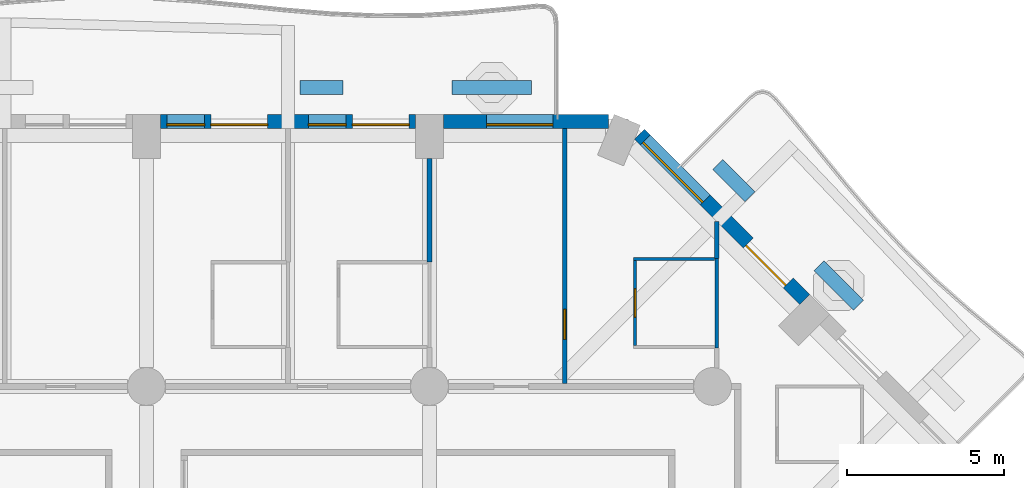
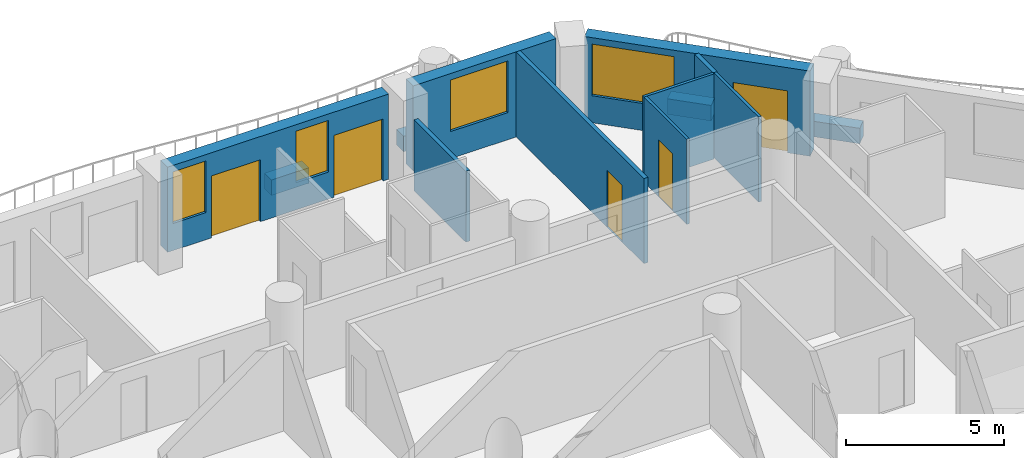
# One storey, part 10 of 20: 13 walls, 5 doors, 4 windows, 9 openings.
"""IFC4 building model written with IfcOpenShell, lengths in metres."""

from ifc_helpers import new_model, si_unit, direction, frame, frame_2d, origin, place, context, subcontext, project, spatial, rectangle, extrude, material, layer, layer_set, type_object, element, fill, save


model = new_model("IFC4")

# Units and contexts
model_context = context("Model", 3, precision=1e-05, world=origin(), true_north=direction((0.0, 1.0)))
body_context = subcontext(model_context, "Body", "Model", "MODEL_VIEW")
ifc_project = project(units=[si_unit("LENGTHUNIT", "METRE"), si_unit("AREAUNIT", "SQUARE_METRE"), si_unit("VOLUMEUNIT", "CUBIC_METRE"), si_unit("PLANEANGLEUNIT", "RADIAN"), si_unit("MASSUNIT", "GRAM", prefix="KILO")], contexts=[model_context])

# Site, building, storey
site_placement = place(None, origin())
site = spatial("IfcSite", under=ifc_project, at=site_placement, CompositionType="ELEMENT")
building_placement = place(site_placement, origin())
building = spatial("IfcBuilding", under=site, at=building_placement, Name="Cypress Arch Tower", CompositionType="ELEMENT")
storey_placement = place(building_placement, frame((0.0, 0.0, 59.10009765625)))
storey = spatial("IfcBuildingStorey", under=building, at=storey_placement, Name="L08", CompositionType="ELEMENT", Elevation=59.10009765625)

# Walls
ifc_material_1 = material(Name="Concrete C40/50, waterproofed", Category="concrete")
ifc_layer_1 = layer(ifc_material_1, 0.449951171875)
ifc_layer_set_1 = layer_set([ifc_layer_1], Name="Balcony planter wall PW450")
wall_type_1 = type_object("IfcWallType", Name="Balcony planter wall PW450", PredefinedType="SOLIDWALL", material=ifc_layer_set_1)
wall_1_placement = place(storey_placement, frame((19.9365234375, 20.07763671875, 0.0), z_axis=(0.0, 0.0, 1.0), x_axis=(-0.707106781187, 0.707106781187, 0.0)))
element("IfcWall", 1, at=wall_1_placement, inside=storey, type_object=wall_type_1, Name="Balcony planter wall L08-A07.2", PredefinedType="SOLIDWALL", context=body_context, shape_type="SweptSolid", body=[
    extrude(rectangle(XDim=1.780517578125, YDim=0.449951171875, at=frame_2d((0.89013671875, 0.0))), origin(), (0.0, 0.0, 1.0), 0.599853515625),
])
wall_2_placement = place(storey_placement, frame((16.485595703125, 23.528564453125, 0.0), z_axis=(0.0, 0.0, 1.0), x_axis=(-0.707022305137, 0.707191247145, 0.0)))
element("IfcWall", 2, at=wall_2_placement, inside=storey, type_object=wall_type_1, Name="Balcony planter wall L08-A07.3", PredefinedType="SOLIDWALL", context=body_context, shape_type="SweptSolid", body=[
    extrude(rectangle(XDim=1.445068359375, YDim=0.449951171875, at=frame_2d((0.72265625, 0.0))), origin(), (0.0, 0.0, 1.0), 0.599853515625),
])
wall_3_placement = place(storey_placement, frame((9.550048828125, 27.0, 0.0), z_axis=(0.0, 0.0, 1.0), x_axis=(-1.0, 0.0, 0.0)))
element("IfcWall", 3, at=wall_3_placement, inside=storey, type_object=wall_type_1, Name="Balcony planter wall L08-A08.1", PredefinedType="SOLIDWALL", context=body_context, shape_type="SweptSolid", body=[
    extrude(rectangle(XDim=2.53759765625, YDim=0.449951171875, at=frame_2d((1.268798828125, 0.0))), origin(), (0.0, 0.0, 1.0), 0.599853515625),
])
wall_4_placement = place(storey_placement, frame((3.550048828125, 27.0, 0.0), z_axis=(0.0, 0.0, 1.0), x_axis=(-1.0, 0.0, 0.0)))
element("IfcWall", 4, at=wall_4_placement, inside=storey, type_object=wall_type_1, Name="Balcony planter wall L08-A08.2", PredefinedType="SOLIDWALL", context=body_context, shape_type="SweptSolid", body=[
    extrude(rectangle(XDim=1.375, YDim=0.449951171875, at=frame_2d((0.6875, 0.0))), origin(), (0.0, 0.0, 1.0), 0.599853515625),
])

# Wall, openings, door, window
ifc_material_2 = material(Name="Brick (red buff blend)", Category="masonry")
ifc_layer_2 = layer(ifc_material_2, 0.449951171875)
ifc_layer_set_2 = layer_set([ifc_layer_2], Name="Brick pier and spandrel wall BW450")
wall_type_2 = type_object("IfcWallType", Name="Brick pier and spandrel wall BW450", PredefinedType="SOLIDWALL", material=ifc_layer_set_2)
wall_5_placement = place(storey_placement, frame((18.228759765625, 20.26513671875, 0.0), z_axis=(0.0, 0.0, 1.0), x_axis=(-0.707106781187, 0.707106781187, 0.0)))
wall_5 = element("IfcWall", 5, at=wall_5_placement, inside=storey, type_object=wall_type_2, Name="Brick wall L08 A07.1", PredefinedType="SOLIDWALL", context=body_context, shape_type="SweptSolid", body=[
    extrude(rectangle(XDim=7.423828125, YDim=0.449951171875, at=frame_2d((3.7119140625, 0.0))), origin(), (0.0, 0.0, 1.0), 3.2998046875),
])
opening_1_placement = place(wall_5_placement, frame((0.740234375, 0.0, 0.0)))
opening_1 = element("IfcOpeningElement", 6, at=opening_1_placement, cuts=wall_5, Name="Opening D-L08-A07.1.1", PredefinedType="OPENING", context=body_context, shape_type="SweptSolid", body=[
    extrude(rectangle(XDim=1.800048828125, YDim=2.39990234375, at=frame_2d((0.89990234375, 1.199951171875))), frame((0.0, 0.23486328125, 0.0), z_axis=(0.0, -1.0, 0.0), x_axis=(1.0, 0.0, 0.0)), (0.0, 0.0, 1.0), 0.469970703125),
])
opening_2_placement = place(wall_5_placement, frame((4.470703125, 0.0, 1.050048828125)))
opening_2 = element("IfcOpeningElement", 7, at=opening_2_placement, cuts=wall_5, Name="Opening W270HD", PredefinedType="OPENING", context=body_context, shape_type="SweptSolid", body=[
    extrude(rectangle(XDim=2.699951171875, YDim=2.0, at=frame_2d((1.35009765625, 1.0))), frame((0.0, 0.23486328125, 0.0), z_axis=(0.0, -1.0, 0.0), x_axis=(1.0, 0.0, 0.0)), (0.0, 0.0, 1.0), 0.469970703125),
])
ifc_material_3 = material(Name="Anodised aluminium, bronze finish, laminated low-emissivity double glazing, large-missile impact rated", Category="aluminium")
door_type_1 = type_object("IfcDoorType", Name="Balcony sliding door 1800x2400", OperationType="SLIDING_TO_LEFT", PredefinedType="DOOR", material=ifc_material_3)
door_1_placement = place(opening_1_placement, origin())
door_1 = element("IfcDoor", 8, at=door_1_placement, inside=storey, type_object=door_type_1, Name="Balcony door L08 A07.1.1", OperationType="SLIDING_TO_LEFT", OverallHeight=2.39990234375, OverallWidth=1.800048828125, PredefinedType="DOOR", context=body_context, shape_type="SweptSolid", body=[
    extrude(rectangle(XDim=1.800048828125, YDim=2.39990234375, at=frame_2d((0.89990234375, 1.199951171875))), frame((0.0, 0.1298828125, 0.0), z_axis=(0.0, -1.0, 0.0), x_axis=(1.0, 0.0, 0.0)), (0.0, 0.0, 1.0), 0.050048828125),
])
fill(opening_1, door_1)
ifc_material_4 = material(Name="Anodised aluminium, bronze finish, laminated low-emissivity double glazing, large-missile impact rated", Category="aluminium")
window_type_1 = type_object("IfcWindowType", Name="Window Hotel 2700x2000 debris-rated", PartitioningType="SINGLE_PANEL", PredefinedType="WINDOW", material=ifc_material_4)
window_1_placement = place(opening_2_placement, origin())
window_1 = element("IfcWindow", 9, at=window_1_placement, inside=storey, type_object=window_type_1, Name="Window L08 A07.1.2", OverallHeight=2.0, OverallWidth=2.699951171875, PartitioningType="SINGLE_PANEL", PredefinedType="WINDOW", context=body_context, shape_type="SweptSolid", body=[
    extrude(rectangle(XDim=2.699951171875, YDim=2.0, at=frame_2d((1.35009765625, 1.0))), frame((0.0, 0.135009765625, 0.0), z_axis=(0.0, -1.0, 0.0), x_axis=(1.0, 0.0, 0.0)), (0.0, 0.0, 1.0), 0.06005859375),
])
fill(opening_2, window_1)

# Wall, opening, window
wall_6_placement = place(storey_placement, frame((11.98876953125, 25.925048828125, 0.0), z_axis=(0.0, 0.0, 1.0), x_axis=(-1.0, 0.0, 0.0)))
wall_6 = element("IfcWall", 10, at=wall_6_placement, inside=storey, type_object=wall_type_2, Name="Brick wall L08 A08.0", PredefinedType="SOLIDWALL", context=body_context, shape_type="SweptSolid", body=[
    extrude(rectangle(XDim=5.23876953125, YDim=0.449951171875, at=frame_2d((2.619384765625, 0.0))), origin(), (0.0, 0.0, 1.0), 3.2998046875),
])
opening_3_placement = place(wall_6_placement, frame((1.769775390625, 0.0, 1.050048828125)))
opening_3 = element("IfcOpeningElement", 11, at=opening_3_placement, cuts=wall_6, Name="Opening W210HD", PredefinedType="OPENING", context=body_context, shape_type="SweptSolid", body=[
    extrude(rectangle(XDim=2.10009765625, YDim=2.0, at=frame_2d((1.050048828125, 1.0))), frame((0.0, 0.23486328125, 0.0), z_axis=(0.0, -1.0, 0.0), x_axis=(1.0, 0.0, 0.0)), (0.0, 0.0, 1.0), 0.469970703125),
])
ifc_material_5 = material(Name="Anodised aluminium, bronze finish, laminated low-emissivity double glazing, large-missile impact rated", Category="aluminium")
window_type_2 = type_object("IfcWindowType", Name="Window Hotel 2100x2000 debris-rated", PartitioningType="SINGLE_PANEL", PredefinedType="WINDOW", material=ifc_material_5)
window_2_placement = place(opening_3_placement, origin())
window_2 = element("IfcWindow", 12, at=window_2_placement, inside=storey, type_object=window_type_2, Name="Window L08 A08.0.1", OverallHeight=2.0, OverallWidth=2.10009765625, PartitioningType="SINGLE_PANEL", PredefinedType="WINDOW", context=body_context, shape_type="SweptSolid", body=[
    extrude(rectangle(XDim=2.10009765625, YDim=2.0, at=frame_2d((1.050048828125, 1.0))), frame((0.0, 0.135009765625, 0.0), z_axis=(0.0, -1.0, 0.0), x_axis=(1.0, 0.0, 0.0)), (0.0, 0.0, 1.0), 0.06005859375),
])
fill(opening_3, window_2)

# Wall, openings, doors, windows
wall_7_placement = place(storey_placement, frame((5.85009765625, 25.925048828125, 0.0), z_axis=(0.0, 0.0, 1.0), x_axis=(-1.0, 0.0, 0.0)))
wall_7 = element("IfcWall", 13, at=wall_7_placement, inside=storey, type_object=wall_type_2, Name="Brick wall L08 A08.1", PredefinedType="SOLIDWALL", context=body_context, shape_type="SweptSolid", body=[
    extrude(rectangle(XDim=8.10009765625, YDim=0.449951171875, at=frame_2d((4.050048828125, 0.0))), origin(), (0.0, 0.0, 1.0), 3.2998046875),
])
opening_4_placement = place(wall_7_placement, frame((0.199951171875, 0.0, 0.0)))
opening_4 = element("IfcOpeningElement", 14, at=opening_4_placement, cuts=wall_7, Name="Opening D-L08-A08.1.1", PredefinedType="OPENING", context=body_context, shape_type="SweptSolid", body=[
    extrude(rectangle(XDim=1.800048828125, YDim=2.39990234375, at=frame_2d((0.89990234375, 1.199951171875))), frame((0.0, 0.23486328125, 0.0), z_axis=(0.0, -1.0, 0.0), x_axis=(1.0, 0.0, 0.0)), (0.0, 0.0, 1.0), 0.469970703125),
])
opening_5_placement = place(wall_7_placement, frame((2.199951171875, 0.0, 1.050048828125)))
opening_5 = element("IfcOpeningElement", 15, at=opening_5_placement, cuts=wall_7, Name="Opening W120HD", PredefinedType="OPENING", context=body_context, shape_type="SweptSolid", body=[
    extrude(rectangle(XDim=1.199951171875, YDim=2.0, at=frame_2d((0.60009765625, 1.0))), frame((0.0, 0.23486328125, 0.0), z_axis=(0.0, -1.0, 0.0), x_axis=(1.0, 0.0, 0.0)), (0.0, 0.0, 1.0), 0.469970703125),
])
opening_6_placement = place(wall_7_placement, frame((4.699951171875, 0.0, 0.0)))
opening_6 = element("IfcOpeningElement", 16, at=opening_6_placement, cuts=wall_7, Name="Opening D-L08-A08.1.2", PredefinedType="OPENING", context=body_context, shape_type="SweptSolid", body=[
    extrude(rectangle(XDim=1.800048828125, YDim=2.39990234375, at=frame_2d((0.89990234375, 1.199951171875))), frame((0.0, 0.23486328125, 0.0), z_axis=(0.0, -1.0, 0.0), x_axis=(1.0, 0.0, 0.0)), (0.0, 0.0, 1.0), 0.469970703125),
])
opening_7_placement = place(wall_7_placement, frame((6.699951171875, 0.0, 1.050048828125)))
opening_7 = element("IfcOpeningElement", 17, at=opening_7_placement, cuts=wall_7, Name="Opening W120HD", PredefinedType="OPENING", context=body_context, shape_type="SweptSolid", body=[
    extrude(rectangle(XDim=1.199951171875, YDim=2.0, at=frame_2d((0.60009765625, 1.0))), frame((0.0, 0.23486328125, 0.0), z_axis=(0.0, -1.0, 0.0), x_axis=(1.0, 0.0, 0.0)), (0.0, 0.0, 1.0), 0.469970703125),
])
door_2_placement = place(opening_4_placement, origin())
door_2 = element("IfcDoor", 18, at=door_2_placement, inside=storey, type_object=door_type_1, Name="Balcony door L08 A08.1.1", OperationType="SLIDING_TO_LEFT", OverallHeight=2.39990234375, OverallWidth=1.800048828125, PredefinedType="DOOR", context=body_context, shape_type="SweptSolid", body=[
    extrude(rectangle(XDim=1.800048828125, YDim=2.39990234375, at=frame_2d((0.89990234375, 1.199951171875))), frame((0.0, 0.1298828125, 0.0), z_axis=(0.0, -1.0, 0.0), x_axis=(1.0, 0.0, 0.0)), (0.0, 0.0, 1.0), 0.050048828125),
])
fill(opening_4, door_2)
door_3_placement = place(opening_6_placement, origin())
door_3 = element("IfcDoor", 19, at=door_3_placement, inside=storey, type_object=door_type_1, Name="Balcony door L08 A08.1.2", OperationType="SLIDING_TO_LEFT", OverallHeight=2.39990234375, OverallWidth=1.800048828125, PredefinedType="DOOR", context=body_context, shape_type="SweptSolid", body=[
    extrude(rectangle(XDim=1.800048828125, YDim=2.39990234375, at=frame_2d((0.89990234375, 1.199951171875))), frame((0.0, 0.1298828125, 0.0), z_axis=(0.0, -1.0, 0.0), x_axis=(1.0, 0.0, 0.0)), (0.0, 0.0, 1.0), 0.050048828125),
])
fill(opening_6, door_3)
ifc_material_6 = material(Name="Anodised aluminium, bronze finish, laminated low-emissivity double glazing, large-missile impact rated", Category="aluminium")
window_type_3 = type_object("IfcWindowType", Name="Window Hotel 1200x2000 debris-rated", PartitioningType="SINGLE_PANEL", PredefinedType="WINDOW", material=ifc_material_6)
window_3_placement = place(opening_5_placement, origin())
window_3 = element("IfcWindow", 20, at=window_3_placement, inside=storey, type_object=window_type_3, Name="Window L08 A08.1.1", OverallHeight=2.0, OverallWidth=1.199951171875, PartitioningType="SINGLE_PANEL", PredefinedType="WINDOW", context=body_context, shape_type="SweptSolid", body=[
    extrude(rectangle(XDim=1.199951171875, YDim=2.0, at=frame_2d((0.60009765625, 1.0))), frame((0.0, 0.135009765625, 0.0), z_axis=(0.0, -1.0, 0.0), x_axis=(1.0, 0.0, 0.0)), (0.0, 0.0, 1.0), 0.06005859375),
])
fill(opening_5, window_3)
window_4_placement = place(opening_7_placement, origin())
window_4 = element("IfcWindow", 21, at=window_4_placement, inside=storey, type_object=window_type_3, Name="Window L08 A08.1.2", OverallHeight=2.0, OverallWidth=1.199951171875, PartitioningType="SINGLE_PANEL", PredefinedType="WINDOW", context=body_context, shape_type="SweptSolid", body=[
    extrude(rectangle(XDim=1.199951171875, YDim=2.0, at=frame_2d((0.60009765625, 1.0))), frame((0.0, 0.135009765625, 0.0), z_axis=(0.0, -1.0, 0.0), x_axis=(1.0, 0.0, 0.0)), (0.0, 0.0, 1.0), 0.06005859375),
])
fill(opening_7, window_4)

# Wall
ifc_material_7 = material(Name="Blockwork, plastered both sides", Category="masonry")
ifc_layer_3 = layer(ifc_material_7, 0.14990234375)
ifc_layer_set_3 = layer_set([ifc_layer_3], Name="Partition PW150")
wall_type_3 = type_object("IfcWallType", Name="Partition PW150", PredefinedType="PARTITIONING", material=ifc_layer_set_3)
wall_8_placement = place(storey_placement, frame((6.300048828125, 21.449951171875, 0.0), z_axis=(0.0, 0.0, 1.0), x_axis=(0.0, 1.0, 0.0)))
element("IfcWall", 22, at=wall_8_placement, inside=storey, type_object=wall_type_3, Name="Partition", PredefinedType="PARTITIONING", context=body_context, shape_type="SweptSolid", body=[
    extrude(rectangle(XDim=3.300048828125, YDim=0.14990234375, at=frame_2d((1.64990234375, 0.0))), origin(), (0.0, 0.0, 1.0), 2.75),
])

# Wall, opening, door
wall_9_placement = place(storey_placement, frame((10.60009765625, 17.60009765625, 0.0), z_axis=(0.0, 0.0, 1.0), x_axis=(0.0, 1.0, 0.0)))
wall_9 = element("IfcWall", 23, at=wall_9_placement, inside=storey, type_object=wall_type_3, Name="Partition", PredefinedType="PARTITIONING", context=body_context, shape_type="SweptSolid", body=[
    extrude(rectangle(XDim=8.099853515625, YDim=0.14990234375, at=frame_2d((4.0498046875, 0.0))), origin(), (0.0, 0.0, 1.0), 3.2998046875),
])
opening_8_placement = place(wall_9_placement, frame((1.39990234375, 0.0, 0.0)))
opening_8 = element("IfcOpeningElement", 24, at=opening_8_placement, cuts=wall_9, Name="Opening D12", PredefinedType="OPENING", context=body_context, shape_type="SweptSolid", body=[
    extrude(rectangle(XDim=0.949951171875, YDim=2.199951171875, at=frame_2d((0.47509765625, 1.10009765625))), frame((0.0, 0.0849609375, 0.0), z_axis=(0.0, -1.0, 0.0), x_axis=(1.0, 0.0, 0.0)), (0.0, 0.0, 1.0), 0.169921875),
])
ifc_material_8 = material(Name="Timber flush door", Category="wood")
door_type_2 = type_object("IfcDoorType", Name="Room door D12 950x2200", OperationType="SINGLE_SWING_LEFT", PredefinedType="DOOR", material=ifc_material_8)
door_4_placement = place(opening_8_placement, origin())
door_4 = element("IfcDoor", 25, at=door_4_placement, inside=storey, type_object=door_type_2, Name="Room door", OperationType="SINGLE_SWING_LEFT", OverallHeight=2.199951171875, OverallWidth=0.949951171875, PredefinedType="DOOR", context=body_context, shape_type="SweptSolid", body=[
    extrude(rectangle(XDim=0.949951171875, YDim=2.199951171875, at=frame_2d((0.47509765625, 1.10009765625))), frame((0.0, 0.02490234375, 0.0), z_axis=(0.0, -1.0, 0.0), x_axis=(1.0, 0.0, 0.0)), (0.0, 0.0, 1.0), 0.050048828125),
])
fill(opening_8, door_4)

# Wall
wall_10_placement = place(storey_placement, frame((15.431884765625, 21.570068359375, 0.0), z_axis=(0.0, 0.0, 1.0), x_axis=(0.0, 1.0, 0.0)))
element("IfcWall", 26, at=wall_10_placement, inside=storey, type_object=wall_type_3, Name="Partition", PredefinedType="PARTITIONING", context=body_context, shape_type="SweptSolid", body=[
    extrude(rectangle(XDim=1.173583984375, YDim=0.14990234375, at=frame_2d((0.5869140625, 0.0))), origin(), (0.0, 0.0, 1.0), 3.2998046875),
])

# Wall, opening, door
ifc_material_9 = material(Name="Moisture resistant board on steel studs, tiled", Category="steel")
ifc_layer_4 = layer(ifc_material_9, 0.10009765625)
ifc_layer_set_4 = layer_set([ifc_layer_4], Name="Wet wall PW100")
wall_type_4 = type_object("IfcWallType", Name="Wet wall PW100", PredefinedType="PARTITIONING", material=ifc_layer_set_4)
wall_11_placement = place(storey_placement, frame((12.8359375, 18.800048828125, 0.0), z_axis=(0.0, 0.0, 1.0), x_axis=(0.0, 1.0, 0.0)))
wall_11 = element("IfcWall", 27, at=wall_11_placement, inside=storey, type_object=wall_type_4, Name="Wet wall", PredefinedType="PARTITIONING", context=body_context, shape_type="SweptSolid", body=[
    extrude(rectangle(XDim=2.699951171875, YDim=0.10009765625, at=frame_2d((1.35009765625, 0.0))), origin(), (0.0, 0.0, 1.0), 3.2998046875),
])
opening_9_placement = place(wall_11_placement, frame((0.89990234375, 0.0, 0.0)))
opening_9 = element("IfcOpeningElement", 28, at=opening_9_placement, cuts=wall_11, Name="Opening D03", PredefinedType="OPENING", context=body_context, shape_type="SweptSolid", body=[
    extrude(rectangle(XDim=0.89990234375, YDim=2.199951171875, at=frame_2d((0.449951171875, 1.10009765625))), frame((0.0, 0.06005859375, 0.0), z_axis=(0.0, -1.0, 0.0), x_axis=(1.0, 0.0, 0.0)), (0.0, 0.0, 1.0), 0.1201171875),
])
ifc_material_10 = material(Name="Timber flush door, moisture resistant", Category="wood")
door_type_3 = type_object("IfcDoorType", Name="Bathroom door D03 900x2200", OperationType="SINGLE_SWING_LEFT", PredefinedType="DOOR", material=ifc_material_10)
door_5_placement = place(opening_9_placement, origin())
door_5 = element("IfcDoor", 29, at=door_5_placement, inside=storey, type_object=door_type_3, Name="Bathroom door", OperationType="SINGLE_SWING_LEFT", OverallHeight=2.199951171875, OverallWidth=0.89990234375, PredefinedType="DOOR", context=body_context, shape_type="SweptSolid", body=[
    extrude(rectangle(XDim=0.89990234375, YDim=2.199951171875, at=frame_2d((0.449951171875, 1.10009765625))), frame((0.0, 0.02490234375, 0.0), z_axis=(0.0, -1.0, 0.0), x_axis=(1.0, 0.0, 0.0)), (0.0, 0.0, 1.0), 0.050048828125),
])
fill(opening_9, door_5)

# Walls
wall_12_placement = place(storey_placement, frame((12.785888671875, 21.550048828125, 0.0), z_axis=(0.0, 0.0, 1.0), x_axis=(1.0, 0.0, 0.0)))
element("IfcWall", 30, at=wall_12_placement, inside=storey, type_object=wall_type_4, Name="Wet wall", PredefinedType="PARTITIONING", context=body_context, shape_type="SweptSolid", body=[
    extrude(rectangle(XDim=2.571044921875, YDim=0.10009765625, at=frame_2d((1.28564453125, 0.0))), origin(), (0.0, 0.0, 1.0), 3.2998046875),
])
wall_13_placement = place(storey_placement, frame((15.431884765625, 18.72998046875, 0.0), z_axis=(0.0, 0.0, 1.0), x_axis=(0.0, 1.0, 0.0)))
element("IfcWall", 31, at=wall_13_placement, inside=storey, type_object=wall_type_4, Name="Wet wall", PredefinedType="PARTITIONING", context=body_context, shape_type="SweptSolid", body=[
    extrude(rectangle(XDim=2.840087890625, YDim=0.10009765625, at=frame_2d((1.419921875, 0.0))), origin(), (0.0, 0.0, 1.0), 3.2998046875),
])

save(model, "model.ifc")
